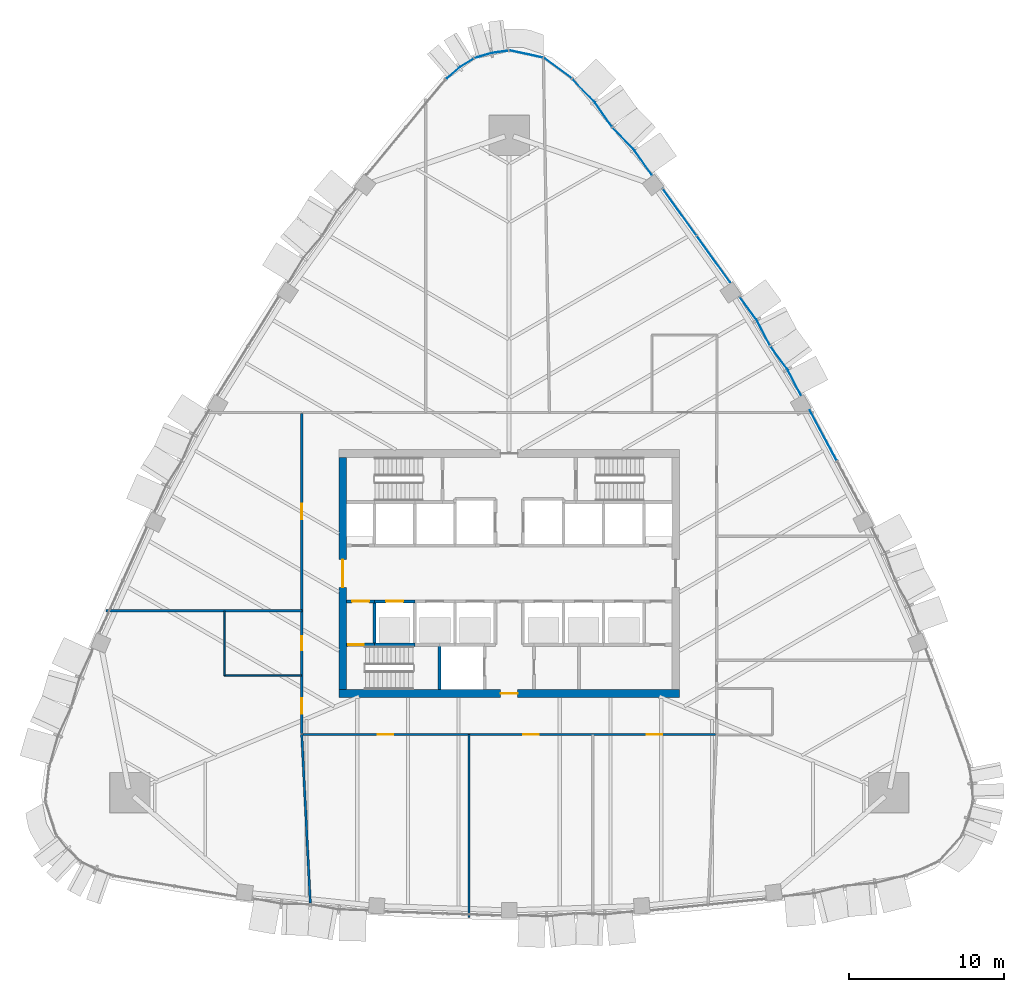
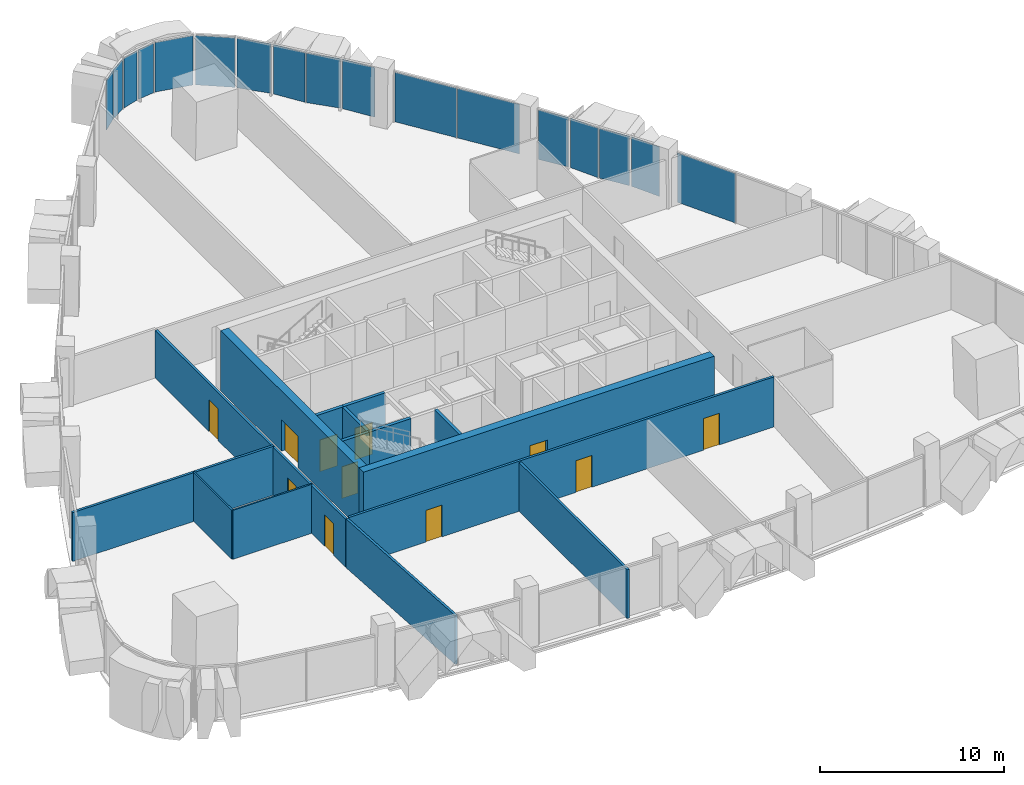
# One storey, part 10 of 17: 17 plates, 15 walls, 11 doors, 11 openings, 8 elements without a shape of their own.
"""IFC4 building model written with IfcOpenShell, lengths in metres."""

import ifcopenshell
import ifcopenshell.guid

model = None  # the IFC model being written
_history = None  # IfcOwnerHistory: only IFC2X3 demands one
_inside = {}  # id of a spatial element -> (the spatial element, [elements in it])
_under = {}  # id of a project, library or spatial element -> (it, [spatial elements below it])
_declared = {}  # id of a project -> (the project, [libraries it declares])
_typed = {}  # id of a type object -> (the type object, [elements of that type])
_made_of = {}  # id of a material, layer set ... -> (it, [elements and type objects made of it])


def new_model(schema):
    """Start an empty IFC model of exactly this schema.

    Asked for "IFC4X3", IfcOpenShell would pick the latest addendum, in which some entities
    have other attributes; the version numbers below select the first issue.
    IFC2X3 requires an IfcOwnerHistory on every rooted entity: one is made here for all.
    """
    global model, _history
    if schema == "IFC4X3":
        model = ifcopenshell.file(schema_version=(4, 3, 0, 0))
    else:
        model = ifcopenshell.file(schema=schema)
    _inside.clear()
    _under.clear()
    _declared.clear()
    _typed.clear()
    _made_of.clear()
    _history = None
    if model.schema == "IFC2X3":
        org = make("IfcOrganization", Name="unknown")
        user = make(
            "IfcPersonAndOrganization",
            ThePerson=make("IfcPerson", FamilyName="unknown"),
            TheOrganization=org,
        )
        app = make(
            "IfcApplication",
            ApplicationDeveloper=org,
            Version="unknown",
            ApplicationFullName="unknown",
            ApplicationIdentifier="unknown",
        )
        _history = make(
            "IfcOwnerHistory",
            OwningUser=user,
            OwningApplication=app,
            ChangeAction="ADDED",
            CreationDate=0,
        )
    return model


def make(cls, **values):
    """One entity of the class cls with the attributes given. An attribute that is None is left unset."""
    return model.create_entity(
        cls, **{name: value for name, value in values.items() if value is not None}
    )


def rooted(cls, **values):
    """An entity with a GlobalId (a new one), such as an element, a storey or a relation."""
    return make(cls, GlobalId=ifcopenshell.guid.new(), OwnerHistory=_history, **values)


def si_unit(unit_type, name, prefix=None):
    """IfcSIUnit, for example si_unit("LENGTHUNIT", "METRE", prefix="MILLI")."""
    return make("IfcSIUnit", UnitType=unit_type, Prefix=prefix, Name=name)


def assignment(units):
    """IfcUnitAssignment: the units of a project."""
    return None if units is None else make("IfcUnitAssignment", Units=units)


def point(xyz):
    """IfcCartesianPoint."""
    return None if xyz is None else make("IfcCartesianPoint", Coordinates=xyz)


def direction(xyz):
    """IfcDirection."""
    return None if xyz is None else make("IfcDirection", DirectionRatios=xyz)


def frame(location, z_axis=None, x_axis=None):
    """IfcAxis2Placement3D, a coordinate frame: its origin and axes. An axis left out is left unset."""
    return make(
        "IfcAxis2Placement3D",
        Location=point(location),
        Axis=direction(z_axis),
        RefDirection=direction(x_axis),
    )


def frame_2d(location, x_axis=None):
    """IfcAxis2Placement2D, a coordinate frame in the plane: its origin and x axis."""
    return make(
        "IfcAxis2Placement2D", Location=point(location), RefDirection=direction(x_axis)
    )


def origin():
    """The frame at (0, 0, 0) with its axes left unset."""
    return frame((0.0, 0.0, 0.0))


def origin_2d():
    """The frame at (0, 0) in the plane with its x axis left unset."""
    return frame_2d((0.0, 0.0))


def place(relative_to, where):
    """IfcLocalPlacement: puts the frame where relative to a parent placement (None: the world)."""
    return make(
        "IfcLocalPlacement", PlacementRelTo=relative_to, RelativePlacement=where
    )


def context(
    kind, dimensions, precision=None, world=None, true_north=None, identifier=None
):
    """IfcGeometricRepresentationContext, for example the 3D "Model" context."""
    return make(
        "IfcGeometricRepresentationContext",
        ContextIdentifier=identifier,
        ContextType=kind,
        CoordinateSpaceDimension=dimensions,
        Precision=precision,
        WorldCoordinateSystem=world,
        TrueNorth=true_north,
    )


def subcontext(parent, identifier, kind, view, scale=None):
    """IfcGeometricRepresentationSubContext, for example "Body" below "Model"."""
    return make(
        "IfcGeometricRepresentationSubContext",
        ContextIdentifier=identifier,
        ContextType=kind,
        ParentContext=parent,
        TargetScale=scale,
        TargetView=view,
    )


def project(units=None, contexts=None):
    """IfcProject with its units and contexts."""
    return rooted(
        "IfcProject",
        Name="project",
        RepresentationContexts=contexts,
        UnitsInContext=assignment(units),
    )


def spatial(cls, under=None, at=None, **own):
    """A site, building, storey or space (cls), placed at a placement, below another one or the project."""
    s = rooted(cls, ObjectPlacement=at, **own)
    if under is not None:
        _under.setdefault(under.id(), (under, []))[1].append(s)
    return s


def polyline(points):
    """IfcPolyline through the points."""
    return make("IfcPolyline", Points=[point(p) for p in points])


def profile(cls, at=None, kind="AREA", **sizes):
    """A parametric profile (cls). Its sizes go by their IFC names, for example OverallWidth=200.0."""
    return make(cls, ProfileType=kind, Position=at, **sizes)


def rectangle(**sizes):
    """IfcRectangleProfileDef."""
    return profile("IfcRectangleProfileDef", **sizes)


def outline(outer, holes=None, kind="AREA"):
    """IfcArbitraryClosedProfileDef: a profile drawn as a closed curve; with holes, ...WithVoids."""
    if holes is None:
        return make("IfcArbitraryClosedProfileDef", ProfileType=kind, OuterCurve=outer)
    return make(
        "IfcArbitraryProfileDefWithVoids",
        ProfileType=kind,
        OuterCurve=outer,
        InnerCurves=holes,
    )


def extrude(swept, where, along, depth):
    """IfcExtrudedAreaSolid: the profile swept, set in the frame where, extruded along a direction by depth."""
    return make(
        "IfcExtrudedAreaSolid",
        SweptArea=swept,
        Position=where,
        ExtrudedDirection=direction(along),
        Depth=depth,
    )


def shape(context_of_items, identifier, shape_type, items):
    """IfcShapeRepresentation: the items that make up one representation, for example the "Body"."""
    return make(
        "IfcShapeRepresentation",
        ContextOfItems=context_of_items,
        RepresentationIdentifier=identifier,
        RepresentationType=shape_type,
        Items=items,
    )


def material(Name=None, Category=None):
    """IfcMaterial."""
    return make("IfcMaterial", Name=Name, Category=Category)


def layer(
    of_material, thickness, ventilated=None, Name=None, Category=None, Priority=None
):
    """IfcMaterialLayer: one layer of a wall or slab, of a material (None: an air gap)."""
    return make(
        "IfcMaterialLayer",
        Material=of_material,
        LayerThickness=thickness,
        IsVentilated=ventilated,
        Name=Name,
        Category=Category,
        Priority=Priority,
    )


def layer_set(layers, Name=None):
    """IfcMaterialLayerSet."""
    return make("IfcMaterialLayerSet", MaterialLayers=layers, LayerSetName=Name)


def made_of(thing, what):
    """Note that an element or type object is made of a material, layer set ...; save() writes the relation."""
    if what is not None:
        _made_of.setdefault(what.id(), (what, []))[1].append(thing)
    return thing


def type_object(cls, material=None, **own):
    """A type object (cls), such as IfcWallType, which elements share."""
    return made_of(rooted(cls, **own), material)


def element(
    cls,
    number,
    at=None,
    inside=None,
    cuts=None,
    type_object=None,
    material=None,
    context=None,
    identifier="Body",
    shape_type=None,
    held_by="IfcProductDefinitionShape",
    body=None,
    shapes=None,
    **own,
):
    """One element of the class cls, such as IfcWall. Its Tag is "e" and its number.

    at: its placement. inside: the storey or other place that contains it. cuts: it is an
    opening in that element (IfcRelVoidsElement). A single representation is given by context,
    identifier, shape_type and body (its items); several are given by shapes. held_by: the class
    of the entity that holds the representations. save() writes the other relations.
    """
    e = rooted(cls, Tag="e%d" % number, ObjectPlacement=at, **own)
    if body is not None:
        shapes = [shape(context, identifier, shape_type, body)]
    if shapes is not None:
        e.Representation = make(held_by, Representations=shapes)
    if inside is not None:
        _inside.setdefault(inside.id(), (inside, []))[1].append(e)
    if cuts is not None:
        rooted(
            "IfcRelVoidsElement", RelatingBuildingElement=cuts, RelatedOpeningElement=e
        )
    if type_object is not None:
        _typed.setdefault(type_object.id(), (type_object, []))[1].append(e)
    return made_of(e, material)


def fill(opening, filler):
    """IfcRelFillsElement: the door or window that sits in an opening."""
    return rooted(
        "IfcRelFillsElement",
        RelatingOpeningElement=opening,
        RelatedBuildingElement=filler,
    )


def aggregate(whole, parts):
    """IfcRelAggregates: a whole, such as a stair, and the parts it consists of."""
    return rooted("IfcRelAggregates", RelatingObject=whole, RelatedObjects=parts)


def save(model, path):
    """Write the relations noted so far, then the file.

    IfcRelAggregates (storeys below a building ...), IfcRelContainedInSpatialStructure (elements
    in a storey), IfcRelDefinesByType, IfcRelAssociatesMaterial and IfcRelDeclares: one each for
    every whole, place, type object, material and project.
    """
    for whole, parts in _under.values():
        aggregate(whole, parts)
    for where, things in _inside.values():
        rooted(
            "IfcRelContainedInSpatialStructure",
            RelatedElements=things,
            RelatingStructure=where,
        )
    for kind, things in _typed.values():
        rooted("IfcRelDefinesByType", RelatedObjects=things, RelatingType=kind)
    for what, things in _made_of.values():
        rooted("IfcRelAssociatesMaterial", RelatedObjects=things, RelatingMaterial=what)
    for by, libraries in _declared.values():
        rooted("IfcRelDeclares", RelatingContext=by, RelatedDefinitions=libraries)
    model.write(path)


model = new_model("IFC4")

# Units and contexts
model_context = context("Model", 3, precision=1e-05, world=origin(), true_north=direction((0.0, 1.0)))
body_context = subcontext(model_context, "Body", "Model", "MODEL_VIEW")
ifc_project = project(units=[si_unit("LENGTHUNIT", "METRE"), si_unit("AREAUNIT", "SQUARE_METRE"), si_unit("VOLUMEUNIT", "CUBIC_METRE"), si_unit("PLANEANGLEUNIT", "RADIAN"), si_unit("MASSUNIT", "GRAM", prefix="KILO")], contexts=[model_context])

# Site, building, storey
site_placement = place(None, origin())
site = spatial("IfcSite", under=ifc_project, at=site_placement, CompositionType="ELEMENT")
building_placement = place(site_placement, origin())
building = spatial("IfcBuilding", under=site, at=building_placement, Name="Sierra Prisma Convention Tower", CompositionType="ELEMENT")
storey_placement = place(building_placement, frame((0.0, 0.0, 145.800048828125)))
storey = spatial("IfcBuildingStorey", under=building, at=storey_placement, Name="L31", CompositionType="ELEMENT", Elevation=145.800048828125)

# Curtain wall, plate
ifc_material_1 = material(Name="Aluminium and glass curtain wall", Category="aluminium")
ifc_layer_1 = layer(ifc_material_1, 0.179931640625)
ifc_layer_set_1 = layer_set([ifc_layer_1], Name="CW-1 Plain shaft curtain wall")
curtain_wall_type_1 = type_object("IfcCurtainWallType", Name="CW-1 Plain shaft curtain wall", PredefinedType="NOTDEFINED", material=ifc_layer_set_1)
curtain_wall_1_placement = place(storey_placement, origin())
curtain_wall_1 = element("IfcCurtainWall", 1, at=curtain_wall_1_placement, inside=storey, type_object=curtain_wall_type_1, Name="CW-1 NE3 L31", PredefinedType="NOTDEFINED")
ifc_material_2 = material(Name="Tinted glass bronze-grey IGU", Category="glass")
ifc_layer_2 = layer(ifc_material_2, 0.028076171875)
ifc_layer_set_2 = layer_set([ifc_layer_2], Name="CW-1 glass panel")
plate_type_1 = type_object("IfcPlateType", Name="CW-1 glass panel", PredefinedType="CURTAIN_PANEL", material=ifc_layer_set_2)
plate_1_placement = place(storey_placement, frame((20.281494140625, 8.923583984375, 0.0), z_axis=(0.0, 0.0, 1.0), x_axis=(-0.47065767126, 0.882315905152, 0.0)))
plate_1 = element("IfcPlate", 2, at=plate_1_placement, type_object=plate_type_1, Name="CW-1 panel NE3.2", PredefinedType="CURTAIN_PANEL", context=body_context, shape_type="SweptSolid", body=[
    extrude(rectangle(XDim=3.68798828125, YDim=0.028076171875, at=origin_2d()), origin(), (0.0, 0.0, 1.0), 3.280029296875),
])
aggregate(curtain_wall_1, [plate_1])

# Curtain wall, plates
curtain_wall_2_placement = place(storey_placement, origin())
curtain_wall_2 = element("IfcCurtainWall", 3, at=curtain_wall_2_placement, inside=storey, type_object=curtain_wall_type_1, Name="CW-1 NE5 L31", PredefinedType="NOTDEFINED")
plate_2_placement = place(storey_placement, frame((13.192138671875, 20.303955078125, 0.0), z_axis=(0.0, 0.0, 1.0), x_axis=(-0.584518937076, 0.81138006643, 0.0)))
plate_2 = element("IfcPlate", 4, at=plate_2_placement, type_object=plate_type_1, Name="CW-1 panel NE5.1", PredefinedType="CURTAIN_PANEL", context=body_context, shape_type="SweptSolid", body=[
    extrude(rectangle(XDim=3.672607421875, YDim=0.028076171875, at=origin_2d()), origin(), (0.0, 0.0, 1.0), 3.280029296875),
])
plate_3_placement = place(storey_placement, frame((11.00439453125, 23.3408203125, 0.0), z_axis=(0.0, 0.0, 1.0), x_axis=(-0.584518937076, 0.81138006643, 0.0)))
plate_3 = element("IfcPlate", 5, at=plate_3_placement, type_object=plate_type_1, Name="CW-1 panel NE5.2", PredefinedType="CURTAIN_PANEL", context=body_context, shape_type="SweptSolid", body=[
    extrude(rectangle(XDim=3.672607421875, YDim=0.028076171875, at=origin_2d()), origin(), (0.0, 0.0, 1.0), 3.280029296875),
])
aggregate(curtain_wall_2, [plate_2, plate_3])

# Curtain wall, plate
curtain_wall_3_placement = place(storey_placement, origin())
curtain_wall_3 = element("IfcCurtainWall", 6, at=curtain_wall_3_placement, inside=storey, type_object=curtain_wall_type_1, Name="CW-1 N1 L31", PredefinedType="NOTDEFINED")
plate_4_placement = place(storey_placement, frame((3.166259765625, 32.631591796875, 0.0), z_axis=(0.0, 0.0, 1.0), x_axis=(-0.805447744176, 0.592666796271, 0.0)))
plate_4 = element("IfcPlate", 7, at=plate_4_placement, type_object=plate_type_1, Name="CW-1 panel N1.1", PredefinedType="CURTAIN_PANEL", context=body_context, shape_type="SweptSolid", body=[
    extrude(rectangle(XDim=2.15380859375, YDim=0.028076171875, at=origin_2d()), origin(), (0.0, 0.0, 1.0), 3.280029296875),
])
aggregate(curtain_wall_3, [plate_4])

curtain_wall_4_placement = place(storey_placement, origin())
curtain_wall_4 = element("IfcCurtainWall", 8, at=curtain_wall_4_placement, inside=storey, type_object=curtain_wall_type_1, Name="CW-1 N2 L31", PredefinedType="NOTDEFINED")
plate_5_placement = place(storey_placement, frame((1.121337890625, 33.552001953125, 0.0), z_axis=(0.0, 0.0, 1.0), x_axis=(-0.977726516391, 0.209882965354, 0.0)))
plate_5 = element("IfcPlate", 9, at=plate_5_placement, type_object=plate_type_1, Name="CW-1 panel N2.1", PredefinedType="CURTAIN_PANEL", context=body_context, shape_type="SweptSolid", body=[
    extrude(rectangle(XDim=2.15380859375, YDim=0.028076171875, at=origin_2d()), origin(), (0.0, 0.0, 1.0), 3.280029296875),
])
aggregate(curtain_wall_4, [plate_5])

# Curtain wall, plates
ifc_material_3 = material(Name="Aluminium and glass curtain wall", Category="aluminium")
ifc_layer_3 = layer(ifc_material_3, 0.179931640625)
ifc_layer_set_3 = layer_set([ifc_layer_3], Name="CW-2 Faceted crystal curtain wall")
curtain_wall_type_2 = type_object("IfcCurtainWallType", Name="CW-2 Faceted crystal curtain wall", PredefinedType="NOTDEFINED", material=ifc_layer_set_3)
curtain_wall_5_placement = place(storey_placement, origin())
curtain_wall_5 = element("IfcCurtainWall", 10, at=curtain_wall_5_placement, inside=storey, type_object=curtain_wall_type_2, Name="CW-2 NE4 L31", PredefinedType="NOTDEFINED")
ifc_material_4 = material(Name="Tinted glass bronze-grey IGU", Category="glass")
ifc_layer_4 = layer(ifc_material_4, 0.028076171875)
ifc_layer_set_4 = layer_set([ifc_layer_4], Name="CW-2 crystal pane")
plate_type_2 = type_object("IfcPlateType", Name="CW-2 crystal pane", PredefinedType="CURTAIN_PANEL", material=ifc_layer_set_4)
plate_6_placement = place(storey_placement, frame((18.843994140625, 11.537353515625, 0.0), z_axis=(0.887624065616, 0.460568689926, 0.0), x_axis=(-0.460568689926, 0.887624065616, 0.0)))
plate_6 = element("IfcPlate", 11, at=plate_6_placement, type_object=plate_type_2, Name="CW-2 pane NE4.1.1", PredefinedType="CURTAIN_PANEL", context=body_context, shape_type="SweptSolid", body=[
    extrude(outline(polyline([(0.0, 0.0), (1.7847967140527432, 0.0), (1.7847967140527432, 3.280029296875), (0.0, 3.280029296875), (0.0, 0.0)])), origin(), (0.0, 0.0, -1.0), 0.028076171875),
])
plate_7_placement = place(storey_placement, frame((16.893798828125, 14.667724609375, 0.0), z_axis=(0.804718773985, 0.593656209263, 0.0), x_axis=(0.593656209263, -0.804718773985, 0.0)))
plate_7 = element("IfcPlate", 12, at=plate_7_placement, type_object=plate_type_2, Name="CW-2 pane NE4.1.2", PredefinedType="CURTAIN_PANEL", context=body_context, shape_type="SweptSolid", body=[
    extrude(outline(polyline([(0.0, 0.0), (1.7848214100472606, 0.0), (1.7848214100472606, -3.280029296875001), (0.0, -3.280029296875001), (0.0, 0.0)])), origin(), (0.0, 0.0, -1.0), 0.028076171875),
])
plate_8_placement = place(storey_placement, frame((16.856689453125, 14.72705078125, 0.0), z_axis=(0.887679983575, 0.460460906875, 0.0), x_axis=(-0.460460906875, 0.887679983575, 0.0)))
plate_8 = element("IfcPlate", 13, at=plate_8_placement, type_object=plate_type_2, Name="CW-2 pane NE4.2.1", PredefinedType="CURTAIN_PANEL", context=body_context, shape_type="SweptSolid", body=[
    extrude(outline(polyline([(0.0, 0.0), (1.7846842836816255, 0.0), (1.7846842836816255, 3.280029296875), (0.0, 3.280029296875), (0.0, 0.0)])), origin(), (0.0, 0.0, -1.0), 0.028076171875),
])
plate_9_placement = place(storey_placement, frame((14.906494140625, 17.857421875, 0.0), z_axis=(0.804653427601, 0.593744778041, 0.0), x_axis=(0.593744778041, -0.804653427601, 0.0)))
plate_9 = element("IfcPlate", 14, at=plate_9_placement, type_object=plate_type_2, Name="CW-2 pane NE4.2.2", PredefinedType="CURTAIN_PANEL", context=body_context, shape_type="SweptSolid", body=[
    extrude(outline(polyline([(0.0, 0.0), (1.7849663564572826, 0.0), (1.7849663564572826, -3.280029296875), (0.0, -3.280029296875), (0.0, 0.0)])), origin(), (0.0, 0.0, -1.0), 0.028076171875),
])
aggregate(curtain_wall_5, [plate_6, plate_7, plate_8, plate_9])

curtain_wall_6_placement = place(storey_placement, origin())
curtain_wall_6 = element("IfcCurtainWall", 15, at=curtain_wall_6_placement, inside=storey, type_object=curtain_wall_type_2, Name="CW-2 NE6 L31", PredefinedType="NOTDEFINED")
plate_10_placement = place(storey_placement, frame((9.209228515625, 25.767333984375, 0.0), z_axis=(0.817970989208, 0.575259472598, 0.0), x_axis=(-0.575259472598, 0.817970989208, 0.0)))
plate_10 = element("IfcPlate", 16, at=plate_10_placement, type_object=plate_type_2, Name="CW-2 pane NE6.1.1", PredefinedType="CURTAIN_PANEL", context=body_context, shape_type="SweptSolid", body=[
    extrude(outline(polyline([(0.0, 0.0), (1.913199156078238, 0.0), (1.913199156078238, 3.280029296875), (0.0, 3.280029296875), (0.0, 0.0)])), origin(), (0.0, 0.0, -1.0), 0.028076171875),
])
plate_11_placement = place(storey_placement, frame((6.6943359375, 28.8056640625, 0.0), z_axis=(0.71793324631, 0.696111954963, 0.0), x_axis=(0.696111954963, -0.71793324631, 0.0)))
plate_11 = element("IfcPlate", 17, at=plate_11_placement, type_object=plate_type_2, Name="CW-2 pane NE6.1.2", PredefinedType="CURTAIN_PANEL", context=body_context, shape_type="SweptSolid", body=[
    extrude(outline(polyline([(0.0, 0.0), (1.9131794819493884, 0.0), (1.9131794819493884, -3.280029296875), (0.0, -3.280029296875), (0.0, 0.0)])), origin(), (0.0, 0.0, -1.0), 0.028076171875),
])
plate_12_placement = place(storey_placement, frame((6.649658203125, 28.859619140625, 0.0), z_axis=(0.817970989208, 0.575259472598, 0.0), x_axis=(-0.575259472598, 0.817970989208, 0.0)))
plate_12 = element("IfcPlate", 18, at=plate_12_placement, type_object=plate_type_2, Name="CW-2 pane NE6.2.1", PredefinedType="CURTAIN_PANEL", context=body_context, shape_type="SweptSolid", body=[
    extrude(outline(polyline([(0.0, 0.0), (1.913199156078238, 0.0), (1.913199156078238, 3.280029296875), (0.0, 3.280029296875), (0.0, 0.0)])), origin(), (0.0, 0.0, -1.0), 0.028076171875),
])
plate_13_placement = place(storey_placement, frame((4.134765625, 31.89794921875, 0.0), z_axis=(0.71793324631, 0.696111954963, 0.0), x_axis=(0.696111954963, -0.71793324631, 0.0)))
plate_13 = element("IfcPlate", 19, at=plate_13_placement, type_object=plate_type_2, Name="CW-2 pane NE6.2.2", PredefinedType="CURTAIN_PANEL", context=body_context, shape_type="SweptSolid", body=[
    extrude(outline(polyline([(0.0, 0.0), (1.9131794819493884, 0.0), (1.9131794819493884, -3.280029296875), (0.0, -3.280029296875), (0.0, 0.0)])), origin(), (0.0, 0.0, -1.0), 0.028076171875),
])
aggregate(curtain_wall_6, [plate_10, plate_11, plate_12, plate_13])

curtain_wall_7_placement = place(storey_placement, origin())
curtain_wall_7 = element("IfcCurtainWall", 20, at=curtain_wall_7_placement, inside=storey, type_object=curtain_wall_type_2, Name="CW-2 N3 L31", PredefinedType="NOTDEFINED")
plate_14_placement = place(storey_placement, frame((-0.068359375, 33.778076171875, 0.0), z_axis=(-0.132494479032, 0.991183743322, 0.0), x_axis=(-0.991183743322, -0.132494479032, 0.0)))
plate_14 = element("IfcPlate", 21, at=plate_14_placement, type_object=plate_type_2, Name="CW-2 pane N3.1.1", PredefinedType="CURTAIN_PANEL", context=body_context, shape_type="SweptSolid", body=[
    extrude(outline(polyline([(0.0, 0.0), (1.0152987909961884, 0.0), (1.0152987909961884, 3.280029296875), (0.0, 3.280029296875), (0.0, 0.0)])), origin(), (0.0, 0.0, -1.0), 0.028076171875),
])
plate_15_placement = place(storey_placement, frame((-2.174072265625, 33.326171875, 0.0), z_axis=(-0.285979491242, 0.958235738526, 0.0), x_axis=(0.958235738526, 0.285979491242, 0.0)))
plate_15 = element("IfcPlate", 22, at=plate_15_placement, type_object=plate_type_2, Name="CW-2 pane N3.1.2", PredefinedType="CURTAIN_PANEL", context=body_context, shape_type="SweptSolid", body=[
    extrude(outline(polyline([(0.0, 0.0), (1.0150490227967184, 0.0), (1.0150490227967184, -3.280029296875), (0.0, -3.280029296875), (0.0, 0.0)])), origin(), (0.0, 0.0, -1.0), 0.028076171875),
])
aggregate(curtain_wall_7, [plate_14, plate_15])

curtain_wall_8_placement = place(storey_placement, origin())
curtain_wall_8 = element("IfcCurtainWall", 23, at=curtain_wall_8_placement, inside=storey, type_object=curtain_wall_type_2, Name="CW-2 N4 L31", PredefinedType="NOTDEFINED")
plate_16_placement = place(storey_placement, frame((-2.299072265625, 33.27001953125, 0.0), z_axis=(-0.527662166744, 0.849454317657, 0.0), x_axis=(-0.849454317657, -0.527662166744, 0.0)))
plate_16 = element("IfcPlate", 24, at=plate_16_placement, type_object=plate_type_2, Name="CW-2 pane N4.1.1", PredefinedType="CURTAIN_PANEL", context=body_context, shape_type="SweptSolid", body=[
    extrude(outline(polyline([(0.0, 0.0), (1.015127793897155, 0.0), (1.015127793897155, 3.280029296875), (0.0, 3.280029296875), (0.0, 0.0)])), origin(), (0.0, 0.0, -1.0), 0.028076171875),
])
plate_17_placement = place(storey_placement, frame((-4.03369140625, 31.993408203125, 0.0), z_axis=(-0.654151932932, 0.756363172452, 0.0), x_axis=(0.756363172452, 0.654151932932, 0.0)))
plate_17 = element("IfcPlate", 25, at=plate_17_placement, type_object=plate_type_2, Name="CW-2 pane N4.1.2", PredefinedType="CURTAIN_PANEL", context=body_context, shape_type="SweptSolid", body=[
    extrude(outline(polyline([(0.0, 0.0), (1.0151502526698981, 0.0), (1.0151502526698981, -3.280029296875), (0.0, -3.280029296875), (0.0, 0.0)])), origin(), (0.0, 0.0, -1.0), 0.028076171875),
])
aggregate(curtain_wall_8, [plate_16, plate_17])

# Walls
ifc_material_5 = material(Name="Gypsum board partition", Category="gypsum")
ifc_layer_5 = layer(ifc_material_5, 0.10009765625)
ifc_layer_set_5 = layer_set([ifc_layer_5], Name="Bathroom partition 100")
wall_type_1 = type_object("IfcWallType", Name="Bathroom partition 100", PredefinedType="PARTITIONING", material=ifc_layer_set_5)
wall_1_placement = place(storey_placement, frame((-13.429931640625, -6.60009765625, 0.0), z_axis=(0.0, 0.0, 1.0), x_axis=(-1.0, 0.0, 0.0)))
element("IfcWall", 26, at=wall_1_placement, inside=storey, type_object=wall_type_1, Name="Partition L31 bath 1", PredefinedType="PARTITIONING", context=body_context, shape_type="SweptSolid", body=[
    extrude(rectangle(XDim=4.969970703125, YDim=0.10009765625, at=frame_2d((2.48486328125, 0.0))), origin(), (0.0, 0.0, 1.0), 3.2470703125),
])
wall_2_placement = place(storey_placement, frame((-18.39990234375, -6.60009765625, 0.0), z_axis=(0.0, 0.0, 1.0), x_axis=(0.0, 1.0, 0.0)))
element("IfcWall", 27, at=wall_2_placement, inside=storey, type_object=wall_type_1, Name="Partition L31 bath 2", PredefinedType="PARTITIONING", context=body_context, shape_type="SweptSolid", body=[
    extrude(rectangle(XDim=4.170166015625, YDim=0.10009765625, at=frame_2d((2.0849609375, 0.0))), origin(), (0.0, 0.0, 1.0), 3.2470703125),
])

# Wall, opening, door
ifc_material_6 = material(Name="Concrete C30/37", Category="concrete")
ifc_layer_6 = layer(ifc_material_6, 0.199951171875)
ifc_layer_set_6 = layer_set([ifc_layer_6], Name="Core wall RC 200 C30/37")
wall_type_2 = type_object("IfcWallType", Name="Core wall RC 200 C30/37", PredefinedType="SOLIDWALL", material=ifc_layer_set_6)
wall_3_placement = place(storey_placement, frame((-10.5, -4.60009765625, 0.0), z_axis=(0.0, 0.0, 1.0), x_axis=(1.0, 0.0, 0.0)))
wall_3 = element("IfcWall", 28, at=wall_3_placement, inside=storey, type_object=wall_type_2, Name="Core wall L31 1", PredefinedType="SOLIDWALL", context=body_context, shape_type="SweptSolid", body=[
    extrude(rectangle(XDim=1.800048828125, YDim=0.199951171875, at=frame_2d((0.89990234375, 0.0))), origin(), (0.0, 0.0, 1.0), 3.849853515625),
])
opening_1_placement = place(wall_3_placement, frame((0.10009765625, 0.0, 0.0)))
opening_1 = element("IfcOpeningElement", 29, at=opening_1_placement, cuts=wall_3, Name="Opening L31-D015", PredefinedType="OPENING", context=body_context, shape_type="SweptSolid", body=[
    extrude(rectangle(XDim=1.0, YDim=2.10009765625, at=frame_2d((0.5, 1.050048828125))), frame((0.0, 0.10009765625, 0.0), z_axis=(0.0, -1.0, 0.0), x_axis=(1.0, 0.0, 0.0)), (0.0, 0.0, 1.0), 0.199951171875),
])
ifc_material_7 = material(Name="Steel fire door leaf", Category="steel")
door_type_1 = type_object("IfcDoorType", Name="Door 1000x2100 FD90S", OperationType="SINGLE_SWING_LEFT", PredefinedType="DOOR", material=ifc_material_7)
door_1_placement = place(opening_1_placement, origin())
door_1 = element("IfcDoor", 30, at=door_1_placement, inside=storey, type_object=door_type_1, Name="Door L31 29", OperationType="SINGLE_SWING_LEFT", OverallHeight=2.10009765625, OverallWidth=1.0, PredefinedType="DOOR", context=body_context, shape_type="SweptSolid", body=[
    extrude(rectangle(XDim=1.0, YDim=2.10009765625, at=frame_2d((0.5, 1.050048828125))), frame((0.0, 0.02490234375, 0.0), z_axis=(0.0, -1.0, 0.0), x_axis=(1.0, 0.0, 0.0)), (0.0, 0.0, 1.0), 0.050048828125),
])
fill(opening_1, door_1)

wall_4_placement = place(storey_placement, frame((-10.5, -1.800048828125, 0.0), z_axis=(0.0, 0.0, 1.0), x_axis=(1.0, 0.0, 0.0)))
wall_4 = element("IfcWall", 31, at=wall_4_placement, inside=storey, type_object=wall_type_2, Name="Core wall L31 2", PredefinedType="SOLIDWALL", context=body_context, shape_type="SweptSolid", body=[
    extrude(rectangle(XDim=1.800048828125, YDim=0.199951171875, at=frame_2d((0.89990234375, 0.0))), origin(), (0.0, 0.0, 1.0), 3.849853515625),
])
opening_2_placement = place(wall_4_placement, frame((0.35009765625, 0.0, 0.0)))
opening_2 = element("IfcOpeningElement", 32, at=opening_2_placement, cuts=wall_4, Name="Opening L31-D010", PredefinedType="OPENING", context=body_context, shape_type="SweptSolid", body=[
    extrude(rectangle(XDim=1.10009765625, YDim=2.10009765625, at=frame_2d((0.550048828125, 1.050048828125))), frame((0.0, 0.10009765625, 0.0), z_axis=(0.0, -1.0, 0.0), x_axis=(1.0, 0.0, 0.0)), (0.0, 0.0, 1.0), 0.199951171875),
])
ifc_material_8 = material(Name="Steel fire door leaf", Category="steel")
door_type_2 = type_object("IfcDoorType", Name="Door 1100x2100 FD90S", OperationType="SINGLE_SWING_LEFT", PredefinedType="DOOR", material=ifc_material_8)
door_2_placement = place(opening_2_placement, origin())
door_2 = element("IfcDoor", 33, at=door_2_placement, inside=storey, type_object=door_type_2, Name="Door L31 24", OperationType="SINGLE_SWING_RIGHT", OverallHeight=2.10009765625, OverallWidth=1.10009765625, PredefinedType="DOOR", context=body_context, shape_type="SweptSolid", body=[
    extrude(rectangle(XDim=1.10009765625, YDim=2.10009765625, at=frame_2d((0.550048828125, 1.050048828125))), frame((0.0, 0.02490234375, 0.0), z_axis=(0.0, -1.0, 0.0), x_axis=(1.0, 0.0, 0.0)), (0.0, 0.0, 1.0), 0.050048828125),
])
fill(opening_2, door_2)

# Walls
wall_5_placement = place(storey_placement, frame((-8.699951171875, -4.60009765625, 0.0), z_axis=(0.0, 0.0, 1.0), x_axis=(1.0, 0.0, 0.0)))
element("IfcWall", 34, at=wall_5_placement, inside=storey, type_object=wall_type_2, Name="Core wall L31 5", PredefinedType="SOLIDWALL", context=body_context, shape_type="SweptSolid", body=[
    extrude(rectangle(XDim=2.599853515625, YDim=0.199951171875, at=frame_2d((1.2998046875, 0.0))), origin(), (0.0, 0.0, 1.0), 3.849853515625),
])
wall_6_placement = place(storey_placement, frame((-8.699951171875, -4.60009765625, 0.0), z_axis=(0.0, 0.0, 1.0), x_axis=(0.0, 1.0, 0.0)))
element("IfcWall", 35, at=wall_6_placement, inside=storey, type_object=wall_type_2, Name="Core wall L31 6", PredefinedType="SOLIDWALL", context=body_context, shape_type="SweptSolid", body=[
    extrude(rectangle(XDim=2.800048828125, YDim=0.199951171875, at=frame_2d((1.39990234375, 0.0))), origin(), (0.0, 0.0, 1.0), 3.849853515625),
])

# Wall, opening, door
wall_7_placement = place(storey_placement, frame((-8.699951171875, -1.800048828125, 0.0), z_axis=(0.0, 0.0, 1.0), x_axis=(1.0, 0.0, 0.0)))
wall_7 = element("IfcWall", 36, at=wall_7_placement, inside=storey, type_object=wall_type_2, Name="Core wall L31 7", PredefinedType="SOLIDWALL", context=body_context, shape_type="SweptSolid", body=[
    extrude(rectangle(XDim=2.599853515625, YDim=0.199951171875, at=frame_2d((1.2998046875, 0.0))), origin(), (0.0, 0.0, 1.0), 3.849853515625),
])
opening_3_placement = place(wall_7_placement, frame((0.75, 0.0, 0.0)))
opening_3 = element("IfcOpeningElement", 37, at=opening_3_placement, cuts=wall_7, Name="Opening L31-D001", PredefinedType="OPENING", context=body_context, shape_type="SweptSolid", body=[
    extrude(rectangle(XDim=1.10009765625, YDim=2.10009765625, at=frame_2d((0.550048828125, 1.050048828125))), frame((0.0, 0.10009765625, 0.0), z_axis=(0.0, -1.0, 0.0), x_axis=(1.0, 0.0, 0.0)), (0.0, 0.0, 1.0), 0.199951171875),
])
ifc_material_9 = material(Name="Steel fire door leaf", Category="steel")
door_type_3 = type_object("IfcDoorType", Name="Door 1100x2100 EI 90 sliding lift landing", OperationType="SLIDING_TO_LEFT", PredefinedType="DOOR", material=ifc_material_9)
door_3_placement = place(opening_3_placement, origin())
door_3 = element("IfcDoor", 38, at=door_3_placement, inside=storey, type_object=door_type_3, Name="Door L31 15", OperationType="SLIDING_TO_LEFT", OverallHeight=2.10009765625, OverallWidth=1.10009765625, PredefinedType="DOOR", context=body_context, shape_type="SweptSolid", body=[
    extrude(rectangle(XDim=1.10009765625, YDim=2.10009765625, at=frame_2d((0.550048828125, 1.050048828125))), frame((0.0, 0.02490234375, 0.0), z_axis=(0.0, -1.0, 0.0), x_axis=(1.0, 0.0, 0.0)), (0.0, 0.0, 1.0), 0.050048828125),
])
fill(opening_3, door_3)

# Wall
wall_8_placement = place(storey_placement, frame((-4.5, -4.60009765625, 0.0), z_axis=(0.0, 0.0, 1.0), x_axis=(0.0, -1.0, 0.0)))
element("IfcWall", 39, at=wall_8_placement, inside=storey, type_object=wall_type_2, Name="Core wall L31 17", PredefinedType="SOLIDWALL", context=body_context, shape_type="SweptSolid", body=[
    extrude(rectangle(XDim=2.89990234375, YDim=0.199951171875, at=frame_2d((1.449951171875, 0.0))), origin(), (0.0, 0.0, 1.0), 3.849853515625),
])

# Wall, opening, door
ifc_material_10 = material(Name="Concrete C60/75", Category="concrete")
ifc_layer_7 = layer(ifc_material_10, 0.5)
ifc_layer_set_7 = layer_set([ifc_layer_7], Name="Core wall RC 500 C60/75")
wall_type_3 = type_object("IfcWallType", Name="Core wall RC 500 C60/75", PredefinedType="SHEAR", material=ifc_layer_set_7)
wall_9_placement = place(storey_placement, frame((-11.0, -7.75, 0.0), z_axis=(0.0, 0.0, 1.0), x_axis=(1.0, 0.0, 0.0)))
wall_9 = element("IfcWall", 40, at=wall_9_placement, inside=storey, type_object=wall_type_3, Name="Core wall S L31", PredefinedType="SHEAR", context=body_context, shape_type="SweptSolid", body=[
    extrude(rectangle(XDim=22.0, YDim=0.5, at=frame_2d((11.0, 0.0))), origin(), (0.0, 0.0, 1.0), 4.0),
])
opening_4_placement = place(wall_9_placement, frame((10.449951171875, 0.0, 0.0)))
opening_4 = element("IfcOpeningElement", 41, at=opening_4_placement, cuts=wall_9, Name="Opening L31-D037", PredefinedType="OPENING", context=body_context, shape_type="SweptSolid", body=[
    extrude(rectangle(XDim=1.10009765625, YDim=2.10009765625, at=frame_2d((0.550048828125, 1.050048828125))), frame((0.0, 0.25, 0.0), z_axis=(0.0, -1.0, 0.0), x_axis=(1.0, 0.0, 0.0)), (0.0, 0.0, 1.0), 0.5),
])
ifc_material_11 = material(Name="Steel fire door leaf", Category="steel")
door_type_4 = type_object("IfcDoorType", Name="Door 1100x2100 FD30S", OperationType="SINGLE_SWING_LEFT", PredefinedType="DOOR", material=ifc_material_11)
door_4_placement = place(opening_4_placement, origin())
door_4 = element("IfcDoor", 42, at=door_4_placement, inside=storey, type_object=door_type_4, Name="Door L31 38", OperationType="SINGLE_SWING_LEFT", OverallHeight=2.10009765625, OverallWidth=1.10009765625, PredefinedType="DOOR", context=body_context, shape_type="SweptSolid", body=[
    extrude(rectangle(XDim=1.10009765625, YDim=2.10009765625, at=frame_2d((0.550048828125, 1.050048828125))), frame((0.0, 0.02490234375, 0.0), z_axis=(0.0, -1.0, 0.0), x_axis=(1.0, 0.0, 0.0)), (0.0, 0.0, 1.0), 0.050048828125),
])
fill(opening_4, door_4)

wall_10_placement = place(storey_placement, frame((-10.75, -7.5, 0.0), z_axis=(0.0, 0.0, 1.0), x_axis=(0.0, 1.0, 0.0)))
wall_10 = element("IfcWall", 43, at=wall_10_placement, inside=storey, type_object=wall_type_3, Name="Core wall W L31", PredefinedType="SHEAR", context=body_context, shape_type="SweptSolid", body=[
    extrude(rectangle(XDim=15.0, YDim=0.5, at=frame_2d((7.5, 0.0))), origin(), (0.0, 0.0, 1.0), 4.0),
])
opening_5_placement = place(wall_10_placement, frame((6.60009765625, 0.0, 0.0)))
opening_5 = element("IfcOpeningElement", 44, at=opening_5_placement, cuts=wall_10, Name="Opening L31-D038", PredefinedType="OPENING", context=body_context, shape_type="SweptSolid", body=[
    extrude(rectangle(XDim=1.800048828125, YDim=2.10009765625, at=frame_2d((0.89990234375, 1.050048828125))), frame((0.0, 0.25, 0.0), z_axis=(0.0, -1.0, 0.0), x_axis=(1.0, 0.0, 0.0)), (0.0, 0.0, 1.0), 0.5),
])
ifc_material_12 = material(Name="Steel fire door leaf", Category="steel")
door_type_5 = type_object("IfcDoorType", Name="Door 1800x2100 FD60S", OperationType="DOUBLE_DOOR_SINGLE_SWING", PredefinedType="DOOR", material=ifc_material_12)
door_5_placement = place(opening_5_placement, origin())
door_5 = element("IfcDoor", 45, at=door_5_placement, inside=storey, type_object=door_type_5, Name="Door L31 35", OperationType="DOUBLE_DOOR_SINGLE_SWING", OverallHeight=2.10009765625, OverallWidth=1.800048828125, PredefinedType="DOOR", context=body_context, shape_type="SweptSolid", body=[
    extrude(rectangle(XDim=1.800048828125, YDim=2.10009765625, at=frame_2d((0.89990234375, 1.050048828125))), frame((0.0, 0.02490234375, 0.0), z_axis=(0.0, -1.0, 0.0), x_axis=(1.0, 0.0, 0.0)), (0.0, 0.0, 1.0), 0.050048828125),
])
fill(opening_5, door_5)

# Wall, openings, doors
ifc_material_13 = material(Name="Gypsum board partition", Category="gypsum")
ifc_layer_8 = layer(ifc_material_13, 0.14990234375)
ifc_layer_set_8 = layer_set([ifc_layer_8], Name="Corridor wall 150 gypsum EI 60")
wall_type_4 = type_object("IfcWallType", Name="Corridor wall 150 gypsum EI 60", PredefinedType="PARTITIONING", material=ifc_layer_set_8)
wall_11_placement = place(storey_placement, frame((-13.39990234375, 10.320068359375, 0.0), z_axis=(0.0, 0.0, 1.0), x_axis=(0.0, -1.0, 0.0)))
wall_11 = element("IfcWall", 46, at=wall_11_placement, inside=storey, type_object=wall_type_4, Name="Partition L31 corr 1", PredefinedType="PARTITIONING", context=body_context, shape_type="SweptSolid", body=[
    extrude(rectangle(XDim=20.64013671875, YDim=0.14990234375, at=frame_2d((10.320068359375, 0.0))), origin(), (0.0, 0.0, 1.0), 3.166015625),
])
opening_6_placement = place(wall_11_placement, frame((5.820068359375, 0.0, 0.0)))
opening_6 = element("IfcOpeningElement", 47, at=opening_6_placement, cuts=wall_11, Name="Opening L31-D026", PredefinedType="OPENING", context=body_context, shape_type="SweptSolid", body=[
    extrude(rectangle(XDim=1.0, YDim=2.10009765625, at=frame_2d((0.5, 1.050048828125))), frame((0.0, 0.074951171875, 0.0), z_axis=(0.0, -1.0, 0.0), x_axis=(1.0, 0.0, 0.0)), (0.0, 0.0, 1.0), 0.14990234375),
])
opening_7_placement = place(wall_11_placement, frame((14.3701171875, 0.0, 0.0)))
opening_7 = element("IfcOpeningElement", 48, at=opening_7_placement, cuts=wall_11, Name="Opening L31-D027", PredefinedType="OPENING", context=body_context, shape_type="SweptSolid", body=[
    extrude(rectangle(XDim=0.89990234375, YDim=2.10009765625, at=frame_2d((0.449951171875, 1.050048828125))), frame((0.0, 0.074951171875, 0.0), z_axis=(0.0, -1.0, 0.0), x_axis=(1.0, 0.0, 0.0)), (0.0, 0.0, 1.0), 0.14990234375),
])
opening_8_placement = place(wall_11_placement, frame((18.3798828125, 0.0, 0.0)))
opening_8 = element("IfcOpeningElement", 49, at=opening_8_placement, cuts=wall_11, Name="Opening L31-D028", PredefinedType="OPENING", context=body_context, shape_type="SweptSolid", body=[
    extrude(rectangle(XDim=1.0, YDim=2.10009765625, at=frame_2d((0.5, 1.050048828125))), frame((0.0, 0.074951171875, 0.0), z_axis=(0.0, -1.0, 0.0), x_axis=(1.0, 0.0, 0.0)), (0.0, 0.0, 1.0), 0.14990234375),
])
ifc_material_14 = material(Name="Steel fire door leaf", Category="steel")
door_type_6 = type_object("IfcDoorType", Name="Door 1000x2100 FD30S", OperationType="SINGLE_SWING_LEFT", PredefinedType="DOOR", material=ifc_material_14)
door_6_placement = place(opening_6_placement, origin())
door_6 = element("IfcDoor", 50, at=door_6_placement, inside=storey, type_object=door_type_6, Name="Door L31 6", OperationType="SINGLE_SWING_LEFT", OverallHeight=2.10009765625, OverallWidth=1.0, PredefinedType="DOOR", context=body_context, shape_type="SweptSolid", body=[
    extrude(rectangle(XDim=1.0, YDim=2.10009765625, at=frame_2d((0.5, 1.050048828125))), frame((0.0, 0.02490234375, 0.0), z_axis=(0.0, -1.0, 0.0), x_axis=(1.0, 0.0, 0.0)), (0.0, 0.0, 1.0), 0.050048828125),
])
fill(opening_6, door_6)
door_7_placement = place(opening_8_placement, origin())
door_7 = element("IfcDoor", 51, at=door_7_placement, inside=storey, type_object=door_type_6, Name="Door L31 8", OperationType="SINGLE_SWING_LEFT", OverallHeight=2.10009765625, OverallWidth=1.0, PredefinedType="DOOR", context=body_context, shape_type="SweptSolid", body=[
    extrude(rectangle(XDim=1.0, YDim=2.10009765625, at=frame_2d((0.5, 1.050048828125))), frame((0.0, 0.02490234375, 0.0), z_axis=(0.0, -1.0, 0.0), x_axis=(1.0, 0.0, 0.0)), (0.0, 0.0, 1.0), 0.050048828125),
])
fill(opening_8, door_7)
ifc_material_15 = material(Name="Steel fire door leaf", Category="steel")
door_type_7 = type_object("IfcDoorType", Name="Door 900x2100 FD30S", OperationType="SINGLE_SWING_LEFT", PredefinedType="DOOR", material=ifc_material_15)
door_8_placement = place(opening_7_placement, origin())
door_8 = element("IfcDoor", 52, at=door_8_placement, inside=storey, type_object=door_type_7, Name="Door L31 7", OperationType="SINGLE_SWING_LEFT", OverallHeight=2.10009765625, OverallWidth=0.89990234375, PredefinedType="DOOR", context=body_context, shape_type="SweptSolid", body=[
    extrude(rectangle(XDim=0.89990234375, YDim=2.10009765625, at=frame_2d((0.449951171875, 1.050048828125))), frame((0.0, 0.02490234375, 0.0), z_axis=(0.0, -1.0, 0.0), x_axis=(1.0, 0.0, 0.0)), (0.0, 0.0, 1.0), 0.050048828125),
])
fill(opening_7, door_8)

wall_12_placement = place(storey_placement, frame((-13.320068359375, -10.39990234375, 0.0), z_axis=(0.0, 0.0, 1.0), x_axis=(1.0, 0.0, 0.0)))
wall_12 = element("IfcWall", 53, at=wall_12_placement, inside=storey, type_object=wall_type_4, Name="Partition L31 corr 2", PredefinedType="PARTITIONING", context=body_context, shape_type="SweptSolid", body=[
    extrude(rectangle(XDim=26.64013671875, YDim=0.14990234375, at=frame_2d((13.320068359375, 0.0))), origin(), (0.0, 0.0, 1.0), 3.31689453125),
])
opening_9_placement = place(wall_12_placement, frame((4.820068359375, 0.0, 0.0)))
opening_9 = element("IfcOpeningElement", 54, at=opening_9_placement, cuts=wall_12, Name="Opening L31-D029", PredefinedType="OPENING", context=body_context, shape_type="SweptSolid", body=[
    extrude(rectangle(XDim=1.0, YDim=2.10009765625, at=frame_2d((0.5, 1.050048828125))), frame((0.0, 0.074951171875, 0.0), z_axis=(0.0, -1.0, 0.0), x_axis=(1.0, 0.0, 0.0)), (0.0, 0.0, 1.0), 0.14990234375),
])
opening_10_placement = place(wall_12_placement, frame((14.219970703125, 0.0, 0.0)))
opening_10 = element("IfcOpeningElement", 55, at=opening_10_placement, cuts=wall_12, Name="Opening L31-D030", PredefinedType="OPENING", context=body_context, shape_type="SweptSolid", body=[
    extrude(rectangle(XDim=1.0, YDim=2.10009765625, at=frame_2d((0.5, 1.050048828125))), frame((0.0, 0.074951171875, 0.0), z_axis=(0.0, -1.0, 0.0), x_axis=(1.0, 0.0, 0.0)), (0.0, 0.0, 1.0), 0.14990234375),
])
opening_11_placement = place(wall_12_placement, frame((22.219970703125, 0.0, 0.0)))
opening_11 = element("IfcOpeningElement", 56, at=opening_11_placement, cuts=wall_12, Name="Opening L31-D031", PredefinedType="OPENING", context=body_context, shape_type="SweptSolid", body=[
    extrude(rectangle(XDim=1.0, YDim=2.10009765625, at=frame_2d((0.5, 1.050048828125))), frame((0.0, 0.074951171875, 0.0), z_axis=(0.0, -1.0, 0.0), x_axis=(1.0, 0.0, 0.0)), (0.0, 0.0, 1.0), 0.14990234375),
])
door_9_placement = place(opening_9_placement, origin())
door_9 = element("IfcDoor", 57, at=door_9_placement, inside=storey, type_object=door_type_6, Name="Door L31 9", OperationType="SINGLE_SWING_RIGHT", OverallHeight=2.10009765625, OverallWidth=1.0, PredefinedType="DOOR", context=body_context, shape_type="SweptSolid", body=[
    extrude(rectangle(XDim=1.0, YDim=2.10009765625, at=frame_2d((0.5, 1.050048828125))), frame((0.0, 0.02490234375, 0.0), z_axis=(0.0, -1.0, 0.0), x_axis=(1.0, 0.0, 0.0)), (0.0, 0.0, 1.0), 0.050048828125),
])
fill(opening_9, door_9)
door_10_placement = place(opening_10_placement, origin())
door_10 = element("IfcDoor", 58, at=door_10_placement, inside=storey, type_object=door_type_6, Name="Door L31 10", OperationType="SINGLE_SWING_RIGHT", OverallHeight=2.10009765625, OverallWidth=1.0, PredefinedType="DOOR", context=body_context, shape_type="SweptSolid", body=[
    extrude(rectangle(XDim=1.0, YDim=2.10009765625, at=frame_2d((0.5, 1.050048828125))), frame((0.0, 0.02490234375, 0.0), z_axis=(0.0, -1.0, 0.0), x_axis=(1.0, 0.0, 0.0)), (0.0, 0.0, 1.0), 0.050048828125),
])
fill(opening_10, door_10)
door_11_placement = place(opening_11_placement, origin())
door_11 = element("IfcDoor", 59, at=door_11_placement, inside=storey, type_object=door_type_6, Name="Door L31 11", OperationType="SINGLE_SWING_RIGHT", OverallHeight=2.10009765625, OverallWidth=1.0, PredefinedType="DOOR", context=body_context, shape_type="SweptSolid", body=[
    extrude(rectangle(XDim=1.0, YDim=2.10009765625, at=frame_2d((0.5, 1.050048828125))), frame((0.0, 0.02490234375, 0.0), z_axis=(0.0, -1.0, 0.0), x_axis=(1.0, 0.0, 0.0)), (0.0, 0.0, 1.0), 0.050048828125),
])
fill(opening_11, door_11)

# Walls
ifc_material_16 = material(Name="Gypsum board partition", Category="gypsum")
ifc_layer_9 = layer(ifc_material_16, 0.14990234375)
ifc_layer_set_9 = layer_set([ifc_layer_9], Name="Party wall 150 gypsum")
wall_type_5 = type_object("IfcWallType", Name="Party wall 150 gypsum", PredefinedType="PARTITIONING", material=ifc_layer_set_9)
wall_13_placement = place(storey_placement, frame((-13.39990234375, -2.39990234375, 0.0), z_axis=(0.0, 0.0, 1.0), x_axis=(-1.0, 0.0, 0.0)))
element("IfcWall", 60, at=wall_13_placement, inside=storey, type_object=wall_type_5, Name="Partition L31 party 1", PredefinedType="PARTITIONING", context=body_context, shape_type="SweptSolid", body=[
    extrude(rectangle(XDim=12.629638671875, YDim=0.14990234375, at=frame_2d((6.31494140625, 0.0))), origin(), (0.0, 0.0, 1.0), 3.23388671875),
])
wall_14_placement = place(storey_placement, frame((-13.39990234375, -10.39990234375, 0.0), z_axis=(0.0, 0.0, 1.0), x_axis=(0.0505395773, -0.998722058997, 0.0)))
element("IfcWall", 61, at=wall_14_placement, inside=storey, type_object=wall_type_5, Name="Partition L31 party 3", PredefinedType="PARTITIONING", context=body_context, shape_type="SweptSolid", body=[
    extrude(rectangle(XDim=10.90283203125, YDim=0.14990234375, at=frame_2d((5.451416015625, 0.0))), origin(), (0.0, 0.0, 1.0), 3.23388671875),
])
wall_15_placement = place(storey_placement, frame((-2.60009765625, -10.39990234375, 0.0), z_axis=(0.0, 0.0, 1.0), x_axis=(0.0, -1.0, 0.0)))
element("IfcWall", 62, at=wall_15_placement, inside=storey, type_object=wall_type_5, Name="Partition L31 party 5", PredefinedType="PARTITIONING", context=body_context, shape_type="SweptSolid", body=[
    extrude(rectangle(XDim=11.8076171875, YDim=0.14990234375, at=frame_2d((5.90380859375, 0.0))), origin(), (0.0, 0.0, 1.0), 3.23388671875),
])

save(model, "model.ifc")
